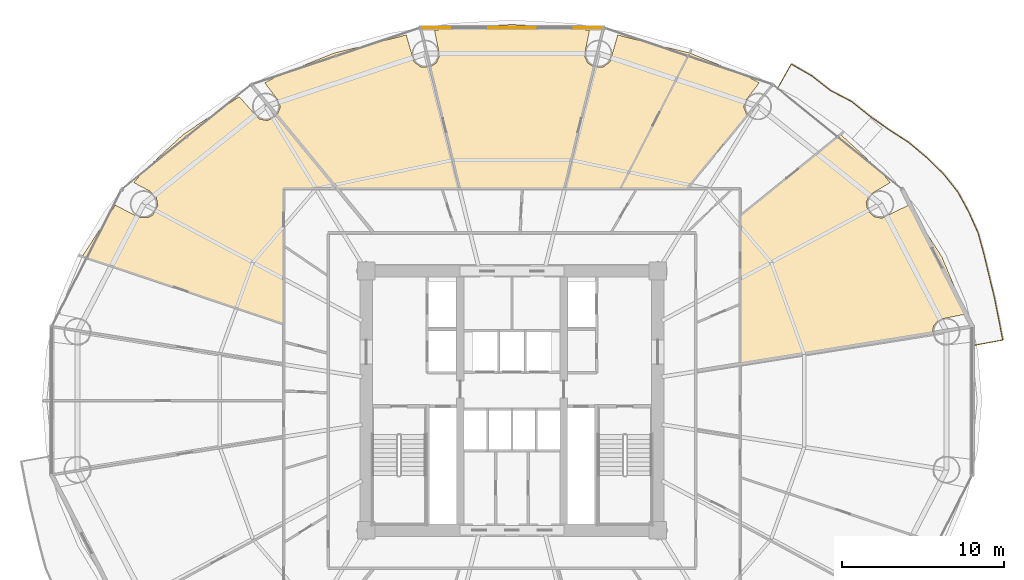
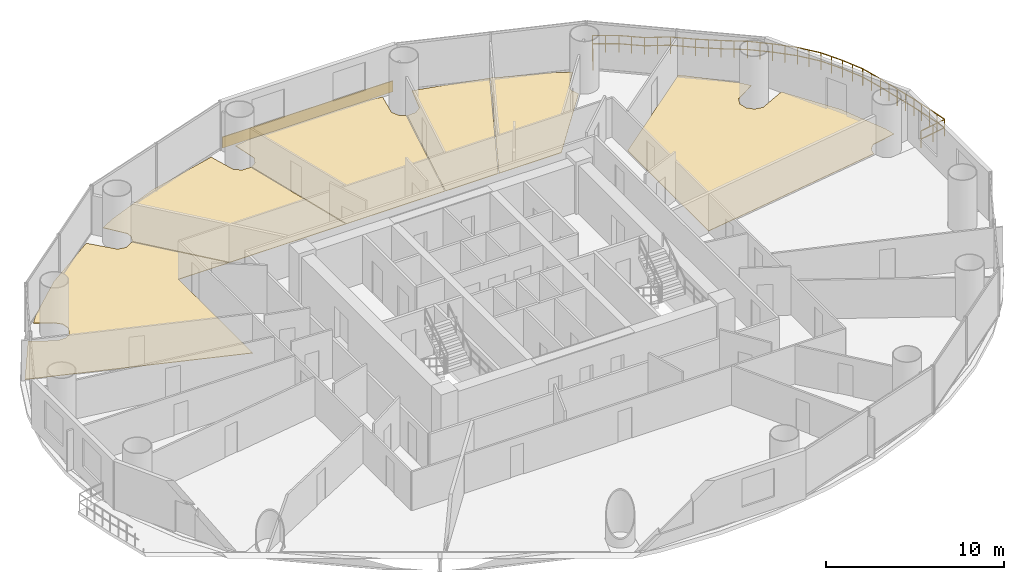
# One storey, part 28 of 28: 7 coverings, 1 railing.
"""IFC4 building model written with IfcOpenShell, lengths in metres."""

from ifc_helpers import new_model, si_unit, direction, frame, origin, origin_2d, place, context, subcontext, project, spatial, polyline, rectangle, outline, extrude, source, transform, mapped, material, layer, layer_set, type_object, element, save


model = new_model("IFC4")

# Units and contexts
model_context = context("Model", 3, precision=1e-05, world=origin(), true_north=direction((-0.2419218956, 0.970295726276)))
body_context = subcontext(model_context, "Body", "Model", "MODEL_VIEW")
ifc_project = project(units=[si_unit("LENGTHUNIT", "METRE"), si_unit("AREAUNIT", "SQUARE_METRE"), si_unit("VOLUMEUNIT", "CUBIC_METRE"), si_unit("PLANEANGLEUNIT", "RADIAN"), si_unit("MASSUNIT", "GRAM", prefix="KILO")], contexts=[model_context])

# Site, building, storey
site_placement = place(None, origin())
site = spatial("IfcSite", under=ifc_project, at=site_placement, CompositionType="ELEMENT")
building_placement = place(site_placement, origin())
building = spatial("IfcBuilding", under=site, at=building_placement, Name="Cobrevalo Terracotta Tower", CompositionType="ELEMENT")
storey_placement = place(building_placement, frame((0.0, 0.0, 38.39990234375)))
storey = spatial("IfcBuildingStorey", under=building, at=storey_placement, Name="L09", CompositionType="ELEMENT", Elevation=38.39990234375)

# Railing
ifc_material_1 = material(Name="Laminated structural glass and stainless steel", Category="steel")
railing_type = type_object("IfcRailingType", Name="Balcony lobe structural glass & terracotta-cap balustrade 1180 mm", PredefinedType="BALUSTRADE", material=ifc_material_1)
railing_placement = place(storey_placement, frame((66.57177734375, 30.225830078125, 0.0)))
element("IfcRailing", 1, at=railing_placement, inside=storey, type_object=railing_type, Name="L09 spiralling balcony lobe balustrade 1", PredefinedType="BALUSTRADE", context=body_context, shape_type="SweptSolid", body=[
    extrude(rectangle(XDim=0.048095703125, YDim=0.048095703125, at=origin_2d()), frame((0.0, 0.0, 1.15576171875), z_axis=(0.983760217296, 0.179487701154, 0.0), x_axis=(-0.179487701154, 0.983760217296, 0.0)), (0.0, 0.0, 1.0), 1.747802734375),
    extrude(rectangle(XDim=0.048095703125, YDim=0.048095703125, at=origin_2d()), frame((0.0, 0.0, 0.58984375), z_axis=(0.983760217296, 0.179487701154, 0.0), x_axis=(-0.179487701154, 0.983760217296, 0.0)), (0.0, 0.0, 1.0), 1.747802734375),
    extrude(rectangle(XDim=0.048095703125, YDim=0.048095703125, at=origin_2d()), frame((1.719482421875, 0.313720703125, 1.15576171875), z_axis=(-0.188477651526, 0.982077479059, 0.0), x_axis=(-0.982077479059, -0.188477651526, 0.0)), (0.0, 0.0, 1.0), 1.322509765625),
    extrude(rectangle(XDim=0.048095703125, YDim=0.048095703125, at=origin_2d()), frame((1.719482421875, 0.313720703125, 0.58984375), z_axis=(-0.188477651526, 0.982077479059, 0.0), x_axis=(-0.982077479059, -0.188477651526, 0.0)), (0.0, 0.0, 1.0), 1.322509765625),
    extrude(rectangle(XDim=0.048095703125, YDim=0.048095703125, at=origin_2d()), frame((1.47021484375, 1.612548828125, 1.15576171875), z_axis=(-0.195091536114, 0.980785038903, 0.0), x_axis=(-0.980785038903, -0.195091536114, 0.0)), (0.0, 0.0, 1.0), 1.3291015625),
    extrude(rectangle(XDim=0.048095703125, YDim=0.048095703125, at=origin_2d()), frame((1.47021484375, 1.612548828125, 0.58984375), z_axis=(-0.195091536114, 0.980785038903, 0.0), x_axis=(-0.980785038903, -0.195091536114, 0.0)), (0.0, 0.0, 1.0), 1.3291015625),
    extrude(rectangle(XDim=0.048095703125, YDim=0.048095703125, at=origin_2d()), frame((1.2109375, 2.916015625, 1.15576171875), z_axis=(-0.237039489743, 0.971500015596, 0.0), x_axis=(-0.971500015596, -0.237039489743, 0.0)), (0.0, 0.0, 1.0), 1.349365234375),
    extrude(rectangle(XDim=0.048095703125, YDim=0.048095703125, at=origin_2d()), frame((1.2109375, 2.916015625, 0.58984375), z_axis=(-0.237039489743, 0.971500015596, 0.0), x_axis=(-0.971500015596, -0.237039489743, 0.0)), (0.0, 0.0, 1.0), 1.349365234375),
    extrude(rectangle(XDim=0.048095703125, YDim=0.048095703125, at=origin_2d()), frame((0.89111328125, 4.226806640625, 1.15576171875), z_axis=(-0.231604568382, 0.972810014291, 0.0), x_axis=(-0.972810014291, -0.231604568382, 0.0)), (0.0, 0.0, 1.0), 1.37890625),
    extrude(rectangle(XDim=0.048095703125, YDim=0.048095703125, at=origin_2d()), frame((0.89111328125, 4.226806640625, 0.58984375), z_axis=(-0.231604568382, 0.972810014291, 0.0), x_axis=(-0.972810014291, -0.231604568382, 0.0)), (0.0, 0.0, 1.0), 1.37890625),
    extrude(rectangle(XDim=0.048095703125, YDim=0.048095703125, at=origin_2d()), frame((0.57177734375, 5.568115234375, 1.15576171875), z_axis=(-0.263899532067, 0.964550173384, 0.0), x_axis=(-0.964550173384, -0.263899532067, 0.0)), (0.0, 0.0, 1.0), 1.399658203125),
    extrude(rectangle(XDim=0.048095703125, YDim=0.048095703125, at=origin_2d()), frame((0.57177734375, 5.568115234375, 0.58984375), z_axis=(-0.263899532067, 0.964550173384, 0.0), x_axis=(-0.964550173384, -0.263899532067, 0.0)), (0.0, 0.0, 1.0), 1.399658203125),
    extrude(rectangle(XDim=0.048095703125, YDim=0.048095703125, at=origin_2d()), frame((0.202392578125, 6.918212890625, 1.15576171875), z_axis=(-0.407995158964, 0.912984090914, 0.0), x_axis=(-0.912984090914, -0.407995158964, 0.0)), (0.0, 0.0, 1.0), 1.41455078125),
    extrude(rectangle(XDim=0.048095703125, YDim=0.048095703125, at=origin_2d()), frame((0.202392578125, 6.918212890625, 0.58984375), z_axis=(-0.407995158964, 0.912984090914, 0.0), x_axis=(-0.912984090914, -0.407995158964, 0.0)), (0.0, 0.0, 1.0), 1.41455078125),
    extrude(rectangle(XDim=0.048095703125, YDim=0.048095703125, at=origin_2d()), frame((-0.374755859375, 8.209716796875, 1.15576171875), z_axis=(-0.476738219106, 0.879045317628, 0.0), x_axis=(-0.879045317628, -0.476738219106, 0.0)), (0.0, 0.0, 1.0), 1.4169921875),
    extrude(rectangle(XDim=0.048095703125, YDim=0.048095703125, at=origin_2d()), frame((-0.374755859375, 8.209716796875, 0.58984375), z_axis=(-0.476738219106, 0.879045317628, 0.0), x_axis=(-0.879045317628, -0.476738219106, 0.0)), (0.0, 0.0, 1.0), 1.4169921875),
    extrude(rectangle(XDim=0.048095703125, YDim=0.048095703125, at=origin_2d()), frame((-1.05029296875, 9.455322265625, 1.15576171875), z_axis=(-0.622487956362, 0.78262937856, 0.0), x_axis=(-0.78262937856, -0.622487956362, 0.0)), (0.0, 0.0, 1.0), 1.431640625),
    extrude(rectangle(XDim=0.048095703125, YDim=0.048095703125, at=origin_2d()), frame((-1.05029296875, 9.455322265625, 0.58984375), z_axis=(-0.622487956362, 0.78262937856, 0.0), x_axis=(-0.78262937856, -0.622487956362, 0.0)), (0.0, 0.0, 1.0), 1.431640625),
    extrude(rectangle(XDim=0.048095703125, YDim=0.048095703125, at=origin_2d()), frame((-1.94140625, 10.57568359375, 1.15576171875), z_axis=(-0.716584469949, 0.697500320737, 0.0), x_axis=(-0.697500320737, -0.716584469949, 0.0)), (0.0, 0.0, 1.0), 1.445556640625),
    extrude(rectangle(XDim=0.048095703125, YDim=0.048095703125, at=origin_2d()), frame((-1.94140625, 10.57568359375, 0.58984375), z_axis=(-0.716584469949, 0.697500320737, 0.0), x_axis=(-0.697500320737, -0.716584469949, 0.0)), (0.0, 0.0, 1.0), 1.445556640625),
    extrude(rectangle(XDim=0.048095703125, YDim=0.048095703125, at=origin_2d()), frame((-2.977294921875, 11.583984375, 1.15576171875), z_axis=(-0.764840704707, 0.644219447412, 0.0), x_axis=(-0.644219447412, -0.764840704707, 0.0)), (0.0, 0.0, 1.0), 1.43701171875),
    extrude(rectangle(XDim=0.048095703125, YDim=0.048095703125, at=origin_2d()), frame((-2.977294921875, 11.583984375, 0.58984375), z_axis=(-0.764840704707, 0.644219447412, 0.0), x_axis=(-0.644219447412, -0.764840704707, 0.0)), (0.0, 0.0, 1.0), 1.43701171875),
    extrude(rectangle(XDim=0.048095703125, YDim=0.048095703125, at=origin_2d()), frame((-4.076416015625, 12.509765625, 1.15576171875), z_axis=(-0.840710079166, 0.541485514846, 0.0), x_axis=(-0.541485514846, -0.840710079166, 0.0)), (0.0, 0.0, 1.0), 1.474365234375),
    extrude(rectangle(XDim=0.048095703125, YDim=0.048095703125, at=origin_2d()), frame((-4.076416015625, 12.509765625, 0.58984375), z_axis=(-0.840710079166, 0.541485514846, 0.0), x_axis=(-0.541485514846, -0.840710079166, 0.0)), (0.0, 0.0, 1.0), 1.474365234375),
    extrude(rectangle(XDim=0.048095703125, YDim=0.048095703125, at=origin_2d()), frame((-5.31591796875, 13.30810546875, 1.15576171875), z_axis=(-0.814764621274, 0.579791869484, 0.0), x_axis=(-0.579791869484, -0.814764621274, 0.0)), (0.0, 0.0, 1.0), 1.43798828125),
    extrude(rectangle(XDim=0.048095703125, YDim=0.048095703125, at=origin_2d()), frame((-5.31591796875, 13.30810546875, 0.58984375), z_axis=(-0.814764621274, 0.579791869484, 0.0), x_axis=(-0.579791869484, -0.814764621274, 0.0)), (0.0, 0.0, 1.0), 1.43798828125),
    extrude(rectangle(XDim=0.048095703125, YDim=0.048095703125, at=origin_2d()), frame((-6.487548828125, 14.141845703125, 1.15576171875), z_axis=(-0.780868809443, 0.624695047554, 0.0), x_axis=(-0.624695047554, -0.780868809443, 0.0)), (0.0, 0.0, 1.0), 1.439697265625),
    extrude(rectangle(XDim=0.048095703125, YDim=0.048095703125, at=origin_2d()), frame((-6.487548828125, 14.141845703125, 0.58984375), z_axis=(-0.780868809443, 0.624695047554, 0.0), x_axis=(-0.624695047554, -0.780868809443, 0.0)), (0.0, 0.0, 1.0), 1.439697265625),
    extrude(rectangle(XDim=0.048095703125, YDim=0.048095703125, at=origin_2d()), frame((-7.61181640625, 15.041259765625, 1.15576171875), z_axis=(-0.886406894564, 0.46290692074, 0.0), x_axis=(-0.46290692074, -0.886406894564, 0.0)), (0.0, 0.0, 1.0), 1.46826171875),
    extrude(rectangle(XDim=0.048095703125, YDim=0.048095703125, at=origin_2d()), frame((-7.61181640625, 15.041259765625, 0.58984375), z_axis=(-0.886406894564, 0.46290692074, 0.0), x_axis=(-0.46290692074, -0.886406894564, 0.0)), (0.0, 0.0, 1.0), 1.46826171875),
    extrude(rectangle(XDim=0.048095703125, YDim=0.048095703125, at=origin_2d()), frame((-8.913330078125, 15.720947265625, 1.15576171875), z_axis=(-0.786773341304, 0.617242018509, 0.0), x_axis=(-0.617242018509, -0.786773341304, 0.0)), (0.0, 0.0, 1.0), 1.45166015625),
    extrude(rectangle(XDim=0.048095703125, YDim=0.048095703125, at=origin_2d()), frame((-8.913330078125, 15.720947265625, 0.58984375), z_axis=(-0.786773341304, 0.617242018509, 0.0), x_axis=(-0.617242018509, -0.786773341304, 0.0)), (0.0, 0.0, 1.0), 1.45166015625),
    extrude(rectangle(XDim=0.048095703125, YDim=0.048095703125, at=origin_2d()), frame((-10.055419921875, 16.616943359375, 1.15576171875), z_axis=(-0.866728235739, 0.498780678628, 0.0), x_axis=(-0.498780678628, -0.866728235739, 0.0)), (0.0, 0.0, 1.0), 1.481689453125),
    extrude(rectangle(XDim=0.048095703125, YDim=0.048095703125, at=origin_2d()), frame((-10.055419921875, 16.616943359375, 0.58984375), z_axis=(-0.866728235739, 0.498780678628, 0.0), x_axis=(-0.498780678628, -0.866728235739, 0.0)), (0.0, 0.0, 1.0), 1.481689453125),
    extrude(rectangle(XDim=0.048095703125, YDim=0.048095703125, at=origin_2d()), frame((-11.339599609375, 17.35595703125, 1.15576171875), z_axis=(-0.488115415014, -0.872779090965, 0.0), x_axis=(0.872779090965, -0.488115415014, 0.0)), (0.0, 0.0, 1.0), 1.767578125),
    extrude(rectangle(XDim=0.048095703125, YDim=0.048095703125, at=origin_2d()), frame((-11.339599609375, 17.35595703125, 0.58984375), z_axis=(-0.488115415014, -0.872779090965, 0.0), x_axis=(0.872779090965, -0.488115415014, 0.0)), (0.0, 0.0, 1.0), 1.767578125),
    extrude(rectangle(XDim=0.0419921875, YDim=0.0419921875, at=origin_2d()), origin(), (0.0, 0.0, 1.0), 1.1318359375),
    extrude(rectangle(XDim=0.0419921875, YDim=0.0419921875, at=origin_2d()), frame((0.85986328125, 0.15673828125, 0.0)), (0.0, 0.0, 1.0), 1.1318359375),
    extrude(rectangle(XDim=0.0419921875, YDim=0.0419921875, at=origin_2d()), frame((1.719482421875, 0.313720703125, 0.0)), (0.0, 0.0, 1.0), 1.1318359375),
    extrude(rectangle(XDim=0.0419921875, YDim=0.0419921875, at=origin_2d()), frame((1.5947265625, 0.963134765625, 0.0)), (0.0, 0.0, 1.0), 1.1318359375),
    extrude(rectangle(XDim=0.0419921875, YDim=0.0419921875, at=origin_2d()), frame((1.47021484375, 1.612548828125, 0.0)), (0.0, 0.0, 1.0), 1.1318359375),
    extrude(rectangle(XDim=0.0419921875, YDim=0.0419921875, at=origin_2d()), frame((1.340576171875, 2.26416015625, 0.0)), (0.0, 0.0, 1.0), 1.1318359375),
    extrude(rectangle(XDim=0.0419921875, YDim=0.0419921875, at=origin_2d()), frame((1.2109375, 2.916015625, 0.0)), (0.0, 0.0, 1.0), 1.1318359375),
    extrude(rectangle(XDim=0.0419921875, YDim=0.0419921875, at=origin_2d()), frame((1.051025390625, 3.5712890625, 0.0)), (0.0, 0.0, 1.0), 1.1318359375),
    extrude(rectangle(XDim=0.0419921875, YDim=0.0419921875, at=origin_2d()), frame((0.89111328125, 4.226806640625, 0.0)), (0.0, 0.0, 1.0), 1.1318359375),
    extrude(rectangle(XDim=0.0419921875, YDim=0.0419921875, at=origin_2d()), frame((0.7314453125, 4.8974609375, 0.0)), (0.0, 0.0, 1.0), 1.1318359375),
    extrude(rectangle(XDim=0.0419921875, YDim=0.0419921875, at=origin_2d()), frame((0.57177734375, 5.568115234375, 0.0)), (0.0, 0.0, 1.0), 1.1318359375),
    extrude(rectangle(XDim=0.0419921875, YDim=0.0419921875, at=origin_2d()), frame((0.38720703125, 6.2431640625, 0.0)), (0.0, 0.0, 1.0), 1.1318359375),
    extrude(rectangle(XDim=0.0419921875, YDim=0.0419921875, at=origin_2d()), frame((0.202392578125, 6.918212890625, 0.0)), (0.0, 0.0, 1.0), 1.1318359375),
    extrude(rectangle(XDim=0.0419921875, YDim=0.0419921875, at=origin_2d()), frame((-0.086181640625, 7.56396484375, 0.0)), (0.0, 0.0, 1.0), 1.1318359375),
    extrude(rectangle(XDim=0.0419921875, YDim=0.0419921875, at=origin_2d()), frame((-0.374755859375, 8.209716796875, 0.0)), (0.0, 0.0, 1.0), 1.1318359375),
    extrude(rectangle(XDim=0.0419921875, YDim=0.0419921875, at=origin_2d()), frame((-0.71240234375, 8.83251953125, 0.0)), (0.0, 0.0, 1.0), 1.1318359375),
    extrude(rectangle(XDim=0.0419921875, YDim=0.0419921875, at=origin_2d()), frame((-1.05029296875, 9.455322265625, 0.0)), (0.0, 0.0, 1.0), 1.1318359375),
    extrude(rectangle(XDim=0.0419921875, YDim=0.0419921875, at=origin_2d()), frame((-1.495849609375, 10.015625, 0.0)), (0.0, 0.0, 1.0), 1.1318359375),
    extrude(rectangle(XDim=0.0419921875, YDim=0.0419921875, at=origin_2d()), frame((-1.94140625, 10.57568359375, 0.0)), (0.0, 0.0, 1.0), 1.1318359375),
    extrude(rectangle(XDim=0.0419921875, YDim=0.0419921875, at=origin_2d()), frame((-2.45947265625, 11.079833984375, 0.0)), (0.0, 0.0, 1.0), 1.1318359375),
    extrude(rectangle(XDim=0.0419921875, YDim=0.0419921875, at=origin_2d()), frame((-2.977294921875, 11.583984375, 0.0)), (0.0, 0.0, 1.0), 1.1318359375),
    extrude(rectangle(XDim=0.0419921875, YDim=0.0419921875, at=origin_2d()), frame((-3.52685546875, 12.046875, 0.0)), (0.0, 0.0, 1.0), 1.1318359375),
    extrude(rectangle(XDim=0.0419921875, YDim=0.0419921875, at=origin_2d()), frame((-4.076416015625, 12.509765625, 0.0)), (0.0, 0.0, 1.0), 1.1318359375),
    extrude(rectangle(XDim=0.0419921875, YDim=0.0419921875, at=origin_2d()), frame((-4.6962890625, 12.908935546875, 0.0)), (0.0, 0.0, 1.0), 1.1318359375),
    extrude(rectangle(XDim=0.0419921875, YDim=0.0419921875, at=origin_2d()), frame((-5.31591796875, 13.30810546875, 0.0)), (0.0, 0.0, 1.0), 1.1318359375),
    extrude(rectangle(XDim=0.0419921875, YDim=0.0419921875, at=origin_2d()), frame((-5.90185546875, 13.72509765625, 0.0)), (0.0, 0.0, 1.0), 1.1318359375),
    extrude(rectangle(XDim=0.0419921875, YDim=0.0419921875, at=origin_2d()), frame((-6.487548828125, 14.141845703125, 0.0)), (0.0, 0.0, 1.0), 1.1318359375),
    extrude(rectangle(XDim=0.0419921875, YDim=0.0419921875, at=origin_2d()), frame((-7.0498046875, 14.591552734375, 0.0)), (0.0, 0.0, 1.0), 1.1318359375),
    extrude(rectangle(XDim=0.0419921875, YDim=0.0419921875, at=origin_2d()), frame((-7.61181640625, 15.041259765625, 0.0)), (0.0, 0.0, 1.0), 1.1318359375),
    extrude(rectangle(XDim=0.0419921875, YDim=0.0419921875, at=origin_2d()), frame((-8.2626953125, 15.381103515625, 0.0)), (0.0, 0.0, 1.0), 1.1318359375),
    extrude(rectangle(XDim=0.0419921875, YDim=0.0419921875, at=origin_2d()), frame((-8.913330078125, 15.720947265625, 0.0)), (0.0, 0.0, 1.0), 1.1318359375),
    extrude(rectangle(XDim=0.0419921875, YDim=0.0419921875, at=origin_2d()), frame((-9.484375, 16.1689453125, 0.0)), (0.0, 0.0, 1.0), 1.1318359375),
    extrude(rectangle(XDim=0.0419921875, YDim=0.0419921875, at=origin_2d()), frame((-10.055419921875, 16.616943359375, 0.0)), (0.0, 0.0, 1.0), 1.1318359375),
    extrude(rectangle(XDim=0.0419921875, YDim=0.0419921875, at=origin_2d()), frame((-10.697509765625, 16.986328125, 0.0)), (0.0, 0.0, 1.0), 1.1318359375),
    extrude(rectangle(XDim=0.0419921875, YDim=0.0419921875, at=origin_2d()), frame((-11.339599609375, 17.35595703125, 0.0)), (0.0, 0.0, 1.0), 1.1318359375),
    extrude(rectangle(XDim=0.0419921875, YDim=0.0419921875, at=origin_2d()), frame((-11.77099609375, 16.58447265625, 0.0)), (0.0, 0.0, 1.0), 1.1318359375),
    extrude(rectangle(XDim=0.0419921875, YDim=0.0419921875, at=origin_2d()), frame((-12.202392578125, 15.813232421875, 0.0)), (0.0, 0.0, 1.0), 1.1318359375),
])

# Coverings
ifc_material_2 = material(Name="Engineered Brazilian hardwood flooring", Category="wood")
ifc_layer_1 = layer(ifc_material_2, 0.028076171875)
ifc_layer_set_1 = layer_set([ifc_layer_1], Name="Engineered Brazilian hardwood flooring")
covering_type_1 = type_object("IfcCoveringType", Name="Engineered Hardwood Suite Flooring 28", PredefinedType="FLOORING", material=ifc_layer_set_1)
covering_1_placement = place(storey_placement, origin())
element("IfcCovering", 2, at=covering_1_placement, inside=storey, type_object=covering_type_1, Name="Flat L09A Penthouse Living and Dining Room floor finish", PredefinedType="FLOORING", context=body_context, shape_type="SweptSolid", body=[
    extrude(outline(polyline([(60.786376953125, 40.933837890625), (61.34423828125, 40.2587890625), (60.060791015625, 39.497802734375), (59.864990234375, 39.02587890625), (59.96435546875, 38.524658203125), (60.325439453125, 38.163330078125), (60.826416015625, 38.063232421875), (62.488037109375, 38.87451171875), (64.534423828125, 35.684326171875), (65.74169921875, 32.80859375), (65.909423828125, 32.126220703125), (64.3642578125, 31.81298828125), (64.025146484375, 31.4306640625), (63.95068359375, 31.003173828125), (52.10498046875, 29.09375), (52.10498046875, 38.2041015625), (58.298583984375, 43.222900390625), (60.786376953125, 40.933837890625)])), origin(), (0.0, 0.0, 1.0), 0.030029296875),
])
covering_2_placement = place(storey_placement, origin())
element("IfcCovering", 3, at=covering_2_placement, inside=storey, type_object=covering_type_1, Name="Flat L09A Principal Guest Bedroom floor finish", PredefinedType="FLOORING", context=body_context, shape_type="SweptSolid", body=[
    extrude(outline(polyline([(52.361572265625, 46.908203125), (53.26318359375, 46.421142578125), (52.35498046875, 45.23095703125), (52.318115234375, 44.889404296875), (52.5048828125, 44.42236328125), (48.780029296875, 39.905029296875), (44.72119140625, 39.905029296875), (48.9873046875, 48.251220703125), (52.361572265625, 46.908203125)])), origin(), (0.0, 0.0, 1.0), 0.030029296875),
])
covering_3_placement = place(storey_placement, origin())
element("IfcCovering", 4, at=covering_3_placement, inside=storey, type_object=covering_type_1, Name="Flat L09A Principal Guest Bedroom floor finish", PredefinedType="FLOORING", context=body_context, shape_type="SweptSolid", body=[
    extrude(outline(polyline([(48.948974609375, 48.263671875), (44.67626953125, 39.905029296875), (41.237548828125, 39.905029296875), (43.075439453125, 47.39306640625), (43.63330078125, 47.40185546875), (44.04345703125, 47.706787109375), (44.527587890625, 49.37451171875), (48.948974609375, 48.263671875)])), origin(), (0.0, 0.0, 1.0), 0.030029296875),
])
covering_4_placement = place(storey_placement, origin())
element("IfcCovering", 5, at=covering_4_placement, inside=storey, type_object=covering_type_1, Name="Flat L09A Penthouse Family Lounge floor finish", PredefinedType="FLOORING", context=body_context, shape_type="SweptSolid", body=[
    extrude(outline(polyline([(38.0, 50.02001953125), (41.749267578125, 49.8212890625), (42.78369140625, 49.65478515625), (42.46533203125, 48.099853515625), (42.6845703125, 47.63818359375), (43.03759765625, 47.406494140625), (41.1962890625, 39.905029296875), (34.8037109375, 39.905029296875), (32.96240234375, 47.406494140625), (33.3154296875, 47.63818359375), (33.53466796875, 48.099853515625), (33.21630859375, 49.65478515625), (34.250732421875, 49.8212890625), (38.0, 50.02001953125)])), origin(), (0.0, 0.0, 1.0), 0.030029296875),
])
covering_5_placement = place(storey_placement, origin())
element("IfcCovering", 6, at=covering_5_placement, inside=storey, type_object=covering_type_1, Name="Flat L09A Penthouse Family Lounge floor finish", PredefinedType="FLOORING", context=body_context, shape_type="SweptSolid", body=[
    extrude(outline(polyline([(23.4951171875, 44.42236328125), (23.681884765625, 44.889404296875), (23.64501953125, 45.23095703125), (22.73681640625, 46.421142578125), (23.638427734375, 46.908203125), (27.008056640625, 48.251953125), (31.472412109375, 49.37451171875), (31.95654296875, 47.706787109375), (32.36669921875, 47.40185546875), (32.924560546875, 47.39306640625), (34.762451171875, 39.905029296875), (27.219970703125, 39.905029296875), (23.4951171875, 44.42236328125)])), origin(), (0.0, 0.0, 1.0), 0.030029296875),
])
covering_6_placement = place(storey_placement, origin())
element("IfcCovering", 7, at=covering_6_placement, inside=storey, type_object=covering_type_1, Name="Flat L09B Penthouse Living and Dining Room floor finish", PredefinedType="FLOORING", context=body_context, shape_type="SweptSolid", body=[
    extrude(outline(polyline([(13.511962890625, 38.87451171875), (15.00439453125, 38.096923828125), (15.51513671875, 38.09716796875), (15.818115234375, 38.25927734375), (16.13525390625, 38.853515625), (16.03515625, 39.3544921875), (15.674560546875, 39.715087890625), (14.65576171875, 40.2587890625), (15.213623046875, 40.933837890625), (17.6904296875, 43.217529296875), (21.156494140625, 45.567138671875), (22.3974609375, 44.1875), (22.899658203125, 44.092529296875), (23.468017578125, 44.392578125), (27.168212890625, 39.905029296875), (23.89501953125, 39.905029296875), (23.89501953125, 31.555419921875), (11.4873046875, 35.72021484375), (13.511962890625, 38.87451171875)])), origin(), (0.0, 0.0, 1.0), 0.030029296875),
])
ifc_material_3 = material(Name="Glazed terracotta facade cladding tile", Category="masonry")
ifc_layer_2 = layer(ifc_material_3, 0.044921875)
ifc_layer_set_2 = layer_set([ifc_layer_2], Name="Glazed terracotta facade cladding tile")
covering_type_2 = type_object("IfcCoveringType", Name="Architectural terracotta rainscreen spandrel cladding 45 mm", PredefinedType="CLADDING", material=ifc_layer_set_2)
shared_shape = source(origin(), body_context, "Body", "SweptSolid", [
    extrude(rectangle(XDim=11.103515625, YDim=0.044921875, at=origin_2d()), origin(), (0.0, 0.0, 1.0), 0.760009765625),
])
covering_7_placement = place(storey_placement, frame((38.0, 49.819091796875, 0.0400390625), z_axis=(0.0, 0.0, 1.0), x_axis=(-1.0, 0.0, 0.0)))
element("IfcCovering", 8, at=covering_7_placement, inside=storey, type_object=covering_type_2, Name="L09 terracotta spandrel cladding S04", PredefinedType="CLADDING", context=body_context, shape_type="MappedRepresentation", body=[
    mapped(shared_shape, transform((0.0, 0.0, 0.0), scale=1.0)),
])

save(model, "model.ifc")
